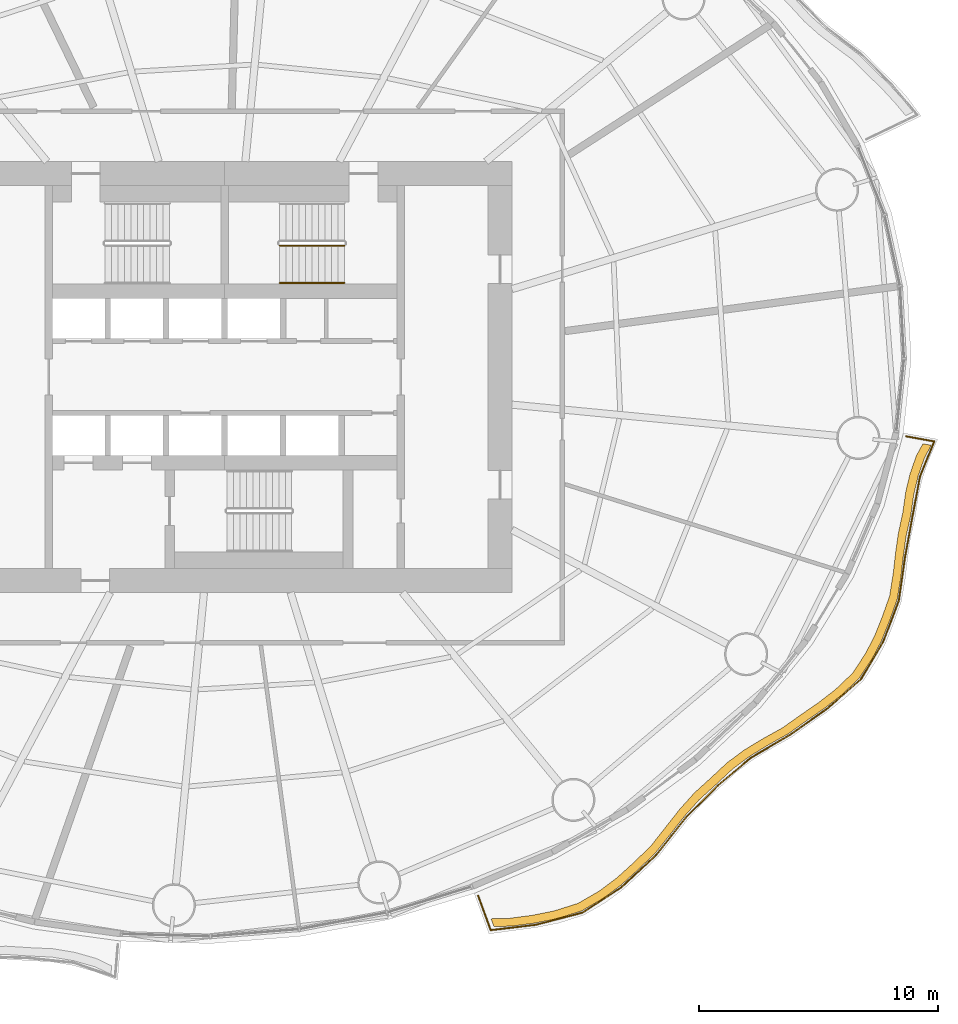
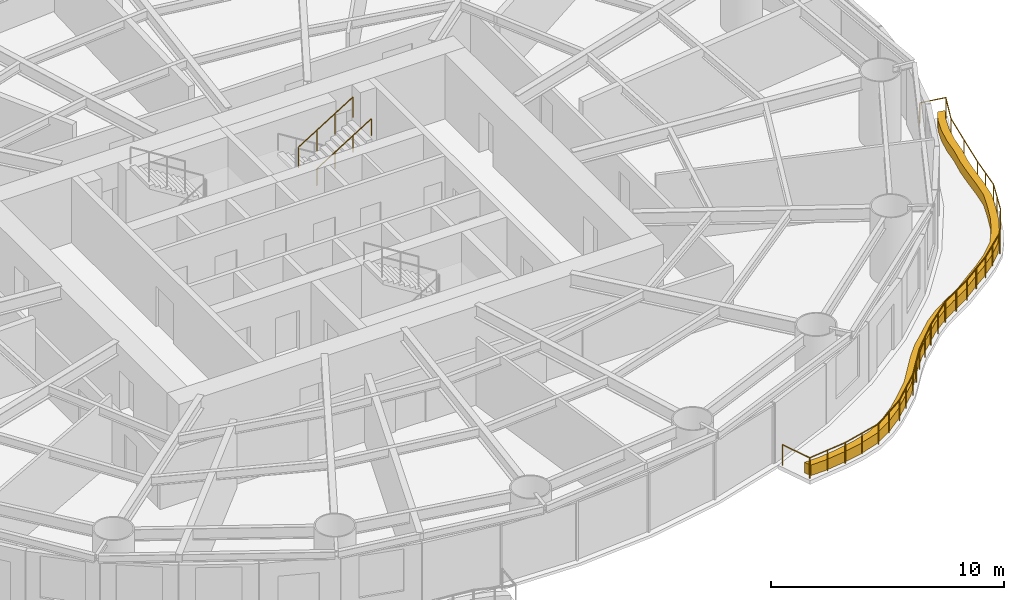
# One storey, part 14 of 16: 3 railings, 1 covering.
"""IFC4 building model written with IfcOpenShell, lengths in metres."""

from ifc_helpers import new_model, si_unit, direction, frame, origin, origin_2d, place, context, subcontext, project, spatial, polyline, circle, outline, extrude, material, type_object, element, save


model = new_model("IFC4")

# Units and contexts
model_context = context("Model", 3, precision=1e-05, world=origin(), true_north=direction((0.0, 1.0)))
body_context = subcontext(model_context, "Body", "Model", "MODEL_VIEW")
ifc_project = project(units=[si_unit("LENGTHUNIT", "METRE"), si_unit("AREAUNIT", "SQUARE_METRE"), si_unit("VOLUMEUNIT", "CUBIC_METRE"), si_unit("PLANEANGLEUNIT", "RADIAN"), si_unit("MASSUNIT", "GRAM", prefix="KILO")], contexts=[model_context])

# Site, building, storey
site_placement = place(None, origin())
site = spatial("IfcSite", under=ifc_project, at=site_placement, CompositionType="ELEMENT")
building_placement = place(site_placement, origin())
building = spatial("IfcBuilding", under=site, at=building_placement, Name="Vermilion Reach Broadcast Tower", CompositionType="ELEMENT")
storey_placement = place(building_placement, frame((0.0, 0.0, 65.60009765625)))
storey = spatial("IfcBuildingStorey", under=building, at=storey_placement, Name="L13", CompositionType="ELEMENT", Elevation=65.60009765625)

# Covering
ifc_material_1 = material(Name="Planting soil and greenery")
covering_type = type_object("IfcCoveringType", Name="Balcony PLANTER", PredefinedType="USERDEFINED", material=ifc_material_1)
covering_placement = place(storey_placement, origin())
element("IfcCovering", 1, at=covering_placement, inside=storey, type_object=covering_type, Name="PLANTER L13 group 4", ObjectType="PLANTER", PredefinedType="USERDEFINED", context=body_context, shape_type="SweptSolid", body=[
    extrude(outline(polyline([(5.24560546875, -22.953125), (6.0107421875, -22.9296875), (6.962646484375, -22.8037109375), (7.89013671875, -22.62060546875), (8.906982421875, -22.296875), (9.813720703125, -21.772216796875), (10.54833984375, -21.223876953125), (11.2392578125, -20.598388671875), (11.996337890625, -19.869384765625), (12.64111328125, -19.057861328125), (13.212890625, -18.33056640625), (13.820556640625, -17.652099609375), (14.533203125, -17.0068359375), (15.216064453125, -16.3671875), (15.919189453125, -15.843505859375), (16.679443359375, -15.3798828125), (17.553466796875, -14.8876953125), (18.354736328125, -14.31396484375), (19.08056640625, -13.81103515625), (19.77001953125, -13.2783203125), (20.506591796875, -12.57275390625), (21.05224609375, -11.745361328125), (21.43603515625, -11.0107421875), (21.749267578125, -10.232666015625), (22.084228515625, -9.296630859375), (22.244384765625, -8.327880859375), (22.340087890625, -7.490478515625), (22.456298828125, -6.661865234375), (22.6533203125, -5.772705078125), (22.7802734375, -4.8984375), (22.96240234375, -4.12939453125), (23.223876953125, -3.38134765625), (23.506103515625, -2.848876953125), (23.161865234375, -2.785888671875), (22.885498046875, -3.291748046875), (22.6240234375, -4.039794921875), (22.44189453125, -4.808837890625), (22.322509765625, -5.658203125), (22.135009765625, -6.52294921875), (22.0185546875, -7.351806640625), (21.9228515625, -8.189208984375), (21.7734375, -9.135498046875), (21.450927734375, -10.0498046875), (21.1376953125, -10.82763671875), (20.75390625, -11.562255859375), (20.22119140625, -12.369873046875), (19.4990234375, -13.056884765625), (18.8095703125, -13.58935546875), (18.083740234375, -14.09228515625), (17.29736328125, -14.649169921875), (16.439208984375, -15.125732421875), (15.678955078125, -15.589111328125), (14.975830078125, -16.11279296875), (14.308837890625, -16.73828125), (13.61279296875, -17.370361328125), (13.005126953125, -18.048828125), (12.43359375, -18.776123046875), (11.8056640625, -19.575927734375), (11.06591796875, -20.294189453125), (10.375244140625, -20.919677734375), (9.640380859375, -21.46826171875), (8.7509765625, -21.9833984375), (7.751953125, -22.298828125), (6.82470703125, -22.482177734375), (5.87255859375, -22.60791015625), (5.12548828125, -22.624267578125), (5.24560546875, -22.953125)])), origin(), (0.0, 0.0, 1.0), 0.5498046875),
])

# Railings
ifc_material_2 = material(Name="Stainless steel 316 balustrade", Category="steel")
railing_type_1 = type_object("IfcRailingType", Name="Balcony guard 1100", PredefinedType="BALUSTRADE", material=ifc_material_2)
railing_1_placement = place(storey_placement, frame((4.58203125, -21.6611328125, 0.0)))
element("IfcRailing", 2, at=railing_1_placement, inside=storey, type_object=railing_type_1, Name="Balcony guard L13 group 4", PredefinedType="BALUSTRADE", context=body_context, shape_type="SweptSolid", body=[
    extrude(circle(Radius=0.02490234375, at=origin_2d()), frame((0.0, 0.0, 1.0751953125), z_axis=(0.343317396351, -0.939219444732, 0.0), x_axis=(0.939219444732, 0.343317396351, 0.0)), (0.0, 0.0, 1.0), 1.531005859375),
    extrude(circle(Radius=0.02490234375, at=origin_2d()), frame((0.525634765625, -1.43798828125, 1.0751953125), z_axis=(0.993151481633, 0.116833790191, 0.0), x_axis=(-0.116833790191, 0.993151481633, 0.0)), (0.0, 0.0, 1.0), 1.8994140625),
    extrude(circle(Radius=0.02490234375, at=origin_2d()), frame((2.412109375, -1.216064453125, 1.0751953125), z_axis=(0.967558024138, 0.252648906441, 0.0), x_axis=(-0.252648906441, 0.967558024138, 0.0)), (0.0, 0.0, 1.0), 2.013916015625),
    extrude(circle(Radius=0.02490234375, at=origin_2d()), frame((4.360595703125, -0.707275390625, 1.0751953125), z_axis=(0.83719274084, 0.546907958148, 0.0), x_axis=(-0.546907958148, 0.83719274084, 0.0)), (0.0, 0.0, 1.0), 1.965576171875),
    extrude(circle(Radius=0.02490234375, at=origin_2d()), frame((6.006103515625, 0.36767578125, 1.0751953125), z_axis=(0.73059754789, 0.682808335492, 0.0), x_axis=(-0.682808335492, 0.73059754789, 0.0)), (0.0, 0.0, 1.0), 1.9873046875),
    extrude(circle(Radius=0.02490234375, at=origin_2d()), frame((7.4580078125, 1.724609375, 1.0751953125), z_axis=(0.620658413017, 0.784081076389, 0.0), x_axis=(-0.784081076389, 0.620658413017, 0.0)), (0.0, 0.0, 1.0), 1.966064453125),
    extrude(circle(Radius=0.02490234375, at=origin_2d()), frame((8.67822265625, 3.26611328125, 1.0751953125), z_axis=(0.706455250429, 0.707757712174, 0.0), x_axis=(-0.707757712174, 0.706455250429, 0.0)), (0.0, 0.0, 1.0), 1.87451171875),
    extrude(circle(Radius=0.02490234375, at=origin_2d()), frame((10.00244140625, 4.5927734375, 1.0751953125), z_axis=(0.765855927894, 0.643012206501, 0.0), x_axis=(-0.643012206501, 0.765855927894, 0.0)), (0.0, 0.0, 1.0), 1.814453125),
    extrude(circle(Radius=0.02490234375, at=origin_2d()), frame((11.39208984375, 5.759521484375, 1.0751953125), z_axis=(0.86285852099, 0.505445519077, 0.0), x_axis=(-0.505445519077, 0.86285852099, 0.0)), (0.0, 0.0, 1.0), 1.898193359375),
    extrude(circle(Radius=0.02490234375, at=origin_2d()), frame((13.030029296875, 6.718994140625, 1.0751953125), z_axis=(0.816917300807, 0.576754821083, 0.0), x_axis=(-0.576754821083, 0.816917300807, 0.0)), (0.0, 0.0, 1.0), 1.87353515625),
    extrude(circle(Radius=0.02490234375, at=origin_2d()), frame((14.560546875, 7.799560546875, 1.0751953125), z_axis=(0.754633273695, 0.656146799301, 0.0), x_axis=(-0.656146799301, 0.754633273695, 0.0)), (0.0, 0.0, 1.0), 1.893798828125),
    extrude(circle(Radius=0.02490234375, at=origin_2d()), frame((15.98974609375, 9.042236328125, 1.0751953125), z_axis=(0.511479150622, 0.859295687455, 0.0), x_axis=(-0.859295687455, 0.511479150622, 0.0)), (0.0, 0.0, 1.0), 1.822998046875),
    extrude(circle(Radius=0.02490234375, at=origin_2d()), frame((16.922119140625, 10.608642578125, 1.0751953125), z_axis=(0.354221783006, 0.935161445123, 0.0), x_axis=(-0.935161445123, 0.354221783006, 0.0)), (0.0, 0.0, 1.0), 1.838134765625),
    extrude(circle(Radius=0.02490234375, at=origin_2d()), frame((17.5732421875, 12.32763671875, 1.0751953125), z_axis=(0.141047709847, 0.990002799767, 0.0), x_axis=(-0.990002799767, 0.141047709847, 0.0)), (0.0, 0.0, 1.0), 1.82958984375),
    extrude(circle(Radius=0.02490234375, at=origin_2d()), frame((17.831298828125, 14.138916015625, 1.0751953125), z_axis=(0.180038004573, 0.983659655018, 0.0), x_axis=(-0.983659655018, 0.180038004573, 0.0)), (0.0, 0.0, 1.0), 1.751953125),
    extrude(circle(Radius=0.02490234375, at=origin_2d()), frame((18.146728515625, 15.8623046875, 1.0751953125), z_axis=(0.185360144347, 0.982670655351, 0.0), x_axis=(-0.982670655351, 0.185360144347, 0.0)), (0.0, 0.0, 1.0), 1.677978515625),
    extrude(circle(Radius=0.02490234375, at=origin_2d()), frame((18.457763671875, 17.51123046875, 1.0751953125), z_axis=(0.375154715954, 0.926962210177, 0.0), x_axis=(-0.926962210177, 0.375154715954, 0.0)), (0.0, 0.0, 1.0), 1.575439453125),
    extrude(circle(Radius=0.02490234375, at=origin_2d()), frame((19.048828125, 18.9716796875, 1.0751953125), z_axis=(-0.983601682386, 0.180354457688, 0.0), x_axis=(-0.180354457688, -0.983601682386, 0.0)), (0.0, 0.0, 1.0), 1.1845703125),
    extrude(circle(Radius=0.02490234375, at=origin_2d()), origin(), (0.0, 0.0, 1.0), 1.050048828125),
    extrude(circle(Radius=0.02490234375, at=origin_2d()), frame((0.525634765625, -1.43798828125, 0.0)), (0.0, 0.0, 1.0), 1.050048828125),
    extrude(circle(Radius=0.02490234375, at=origin_2d()), frame((1.46875, -1.3271484375, 0.0)), (0.0, 0.0, 1.0), 1.050048828125),
    extrude(circle(Radius=0.02490234375, at=origin_2d()), frame((2.412109375, -1.216064453125, 0.0)), (0.0, 0.0, 1.0), 1.050048828125),
    extrude(circle(Radius=0.02490234375, at=origin_2d()), frame((3.38623046875, -0.961669921875, 0.0)), (0.0, 0.0, 1.0), 1.050048828125),
    extrude(circle(Radius=0.02490234375, at=origin_2d()), frame((4.360595703125, -0.707275390625, 0.0)), (0.0, 0.0, 1.0), 1.050048828125),
    extrude(circle(Radius=0.02490234375, at=origin_2d()), frame((5.183349609375, -0.169921875, 0.0)), (0.0, 0.0, 1.0), 1.050048828125),
    extrude(circle(Radius=0.02490234375, at=origin_2d()), frame((6.006103515625, 0.36767578125, 0.0)), (0.0, 0.0, 1.0), 1.050048828125),
    extrude(circle(Radius=0.02490234375, at=origin_2d()), frame((6.73193359375, 1.046142578125, 0.0)), (0.0, 0.0, 1.0), 1.050048828125),
    extrude(circle(Radius=0.02490234375, at=origin_2d()), frame((7.4580078125, 1.724609375, 0.0)), (0.0, 0.0, 1.0), 1.050048828125),
    extrude(circle(Radius=0.02490234375, at=origin_2d()), frame((8.068115234375, 2.495361328125, 0.0)), (0.0, 0.0, 1.0), 1.050048828125),
    extrude(circle(Radius=0.02490234375, at=origin_2d()), frame((8.67822265625, 3.26611328125, 0.0)), (0.0, 0.0, 1.0), 1.050048828125),
    extrude(circle(Radius=0.02490234375, at=origin_2d()), frame((9.34033203125, 3.929443359375, 0.0)), (0.0, 0.0, 1.0), 1.050048828125),
    extrude(circle(Radius=0.02490234375, at=origin_2d()), frame((10.00244140625, 4.5927734375, 0.0)), (0.0, 0.0, 1.0), 1.050048828125),
    extrude(circle(Radius=0.02490234375, at=origin_2d()), frame((10.697265625, 5.17626953125, 0.0)), (0.0, 0.0, 1.0), 1.050048828125),
    extrude(circle(Radius=0.02490234375, at=origin_2d()), frame((11.39208984375, 5.759521484375, 0.0)), (0.0, 0.0, 1.0), 1.050048828125),
    extrude(circle(Radius=0.02490234375, at=origin_2d()), frame((12.2109375, 6.2392578125, 0.0)), (0.0, 0.0, 1.0), 1.050048828125),
    extrude(circle(Radius=0.02490234375, at=origin_2d()), frame((13.030029296875, 6.718994140625, 0.0)), (0.0, 0.0, 1.0), 1.050048828125),
    extrude(circle(Radius=0.02490234375, at=origin_2d()), frame((13.79541015625, 7.25927734375, 0.0)), (0.0, 0.0, 1.0), 1.050048828125),
    extrude(circle(Radius=0.02490234375, at=origin_2d()), frame((14.560546875, 7.799560546875, 0.0)), (0.0, 0.0, 1.0), 1.050048828125),
    extrude(circle(Radius=0.02490234375, at=origin_2d()), frame((15.275146484375, 8.4208984375, 0.0)), (0.0, 0.0, 1.0), 1.050048828125),
    extrude(circle(Radius=0.02490234375, at=origin_2d()), frame((15.98974609375, 9.042236328125, 0.0)), (0.0, 0.0, 1.0), 1.050048828125),
    extrude(circle(Radius=0.02490234375, at=origin_2d()), frame((16.4560546875, 9.825439453125, 0.0)), (0.0, 0.0, 1.0), 1.050048828125),
    extrude(circle(Radius=0.02490234375, at=origin_2d()), frame((16.922119140625, 10.608642578125, 0.0)), (0.0, 0.0, 1.0), 1.050048828125),
    extrude(circle(Radius=0.02490234375, at=origin_2d()), frame((17.24755859375, 11.46826171875, 0.0)), (0.0, 0.0, 1.0), 1.050048828125),
    extrude(circle(Radius=0.02490234375, at=origin_2d()), frame((17.5732421875, 12.32763671875, 0.0)), (0.0, 0.0, 1.0), 1.050048828125),
    extrude(circle(Radius=0.02490234375, at=origin_2d()), frame((17.7021484375, 13.2333984375, 0.0)), (0.0, 0.0, 1.0), 1.050048828125),
    extrude(circle(Radius=0.02490234375, at=origin_2d()), frame((17.831298828125, 14.138916015625, 0.0)), (0.0, 0.0, 1.0), 1.050048828125),
    extrude(circle(Radius=0.02490234375, at=origin_2d()), frame((18.146728515625, 15.8623046875, 0.0)), (0.0, 0.0, 1.0), 1.050048828125),
    extrude(circle(Radius=0.02490234375, at=origin_2d()), frame((18.457763671875, 17.51123046875, 0.0)), (0.0, 0.0, 1.0), 1.050048828125),
    extrude(circle(Radius=0.02490234375, at=origin_2d()), frame((19.048828125, 18.9716796875, 0.0)), (0.0, 0.0, 1.0), 1.050048828125),
    extrude(circle(Radius=0.02490234375, at=origin_2d()), frame((17.8837890625, 19.185302734375, 0.0)), (0.0, 0.0, 1.0), 1.050048828125),
])
ifc_material_3 = material(Name="Stainless steel", Category="steel")
railing_type_2 = type_object("IfcRailingType", Name="Stair guard 1100", PredefinedType="GUARDRAIL", material=ifc_material_3)
railing_2_placement = place(storey_placement, frame((-3.699951171875, 5.489990234375, 2.01806640625)))
element("IfcRailing", 3, at=railing_2_placement, inside=storey, type_object=railing_type_2, Name="L13 ST2 stair guard 3", PredefinedType="GUARDRAIL", context=body_context, shape_type="SweptSolid", body=[
    extrude(circle(Radius=0.02392578125, at=origin_2d()), frame((0.0, 0.0, 1.076171875), z_axis=(0.848786430784, 0.0, 0.528735846068), x_axis=(0.0, 1.0, 0.0)), (0.0, 0.0, 1.0), 3.180908203125),
    extrude(circle(Radius=0.02099609375, at=origin_2d()), origin(), (0.0, 0.0, 1.0), 1.052001953125),
    extrude(circle(Radius=0.02099609375, at=origin_2d()), frame((0.89990234375, 0.0, 0.560546875)), (0.0, 0.0, 1.0), 1.052001953125),
    extrude(circle(Radius=0.02099609375, at=origin_2d()), frame((1.800048828125, 0.0, 1.121337890625)), (0.0, 0.0, 1.0), 1.052001953125),
    extrude(circle(Radius=0.02099609375, at=origin_2d()), frame((2.699951171875, 0.0, 1.681884765625)), (0.0, 0.0, 1.0), 1.052001953125),
])
ifc_material_4 = material(Name="Stainless steel", Category="steel")
railing_type_3 = type_object("IfcRailingType", Name="Stair handrail", PredefinedType="HANDRAIL", material=ifc_material_4)
railing_3_placement = place(storey_placement, frame((-3.699951171875, 3.929931640625, 2.01806640625)))
element("IfcRailing", 4, at=railing_3_placement, inside=storey, type_object=railing_type_3, Name="L13 ST2 stair handrail 2", PredefinedType="HANDRAIL", context=body_context, shape_type="SweptSolid", body=[
    extrude(circle(Radius=0.02392578125, at=origin_2d()), frame((0.0, 0.0, 0.8759765625), z_axis=(0.848786430784, 0.0, 0.528735846068), x_axis=(0.0, 1.0, 0.0)), (0.0, 0.0, 1.0), 3.180908203125),
    extrude(circle(Radius=0.02099609375, at=origin_2d()), origin(), (0.0, 0.0, 1.0), 0.851806640625),
    extrude(circle(Radius=0.02099609375, at=origin_2d()), frame((0.89990234375, 0.0, 0.560546875)), (0.0, 0.0, 1.0), 0.851806640625),
    extrude(circle(Radius=0.02099609375, at=origin_2d()), frame((1.800048828125, 0.0, 1.121337890625)), (0.0, 0.0, 1.0), 0.851806640625),
    extrude(circle(Radius=0.02099609375, at=origin_2d()), frame((2.699951171875, 0.0, 1.681884765625)), (0.0, 0.0, 1.0), 0.851806640625),
])

save(model, "model.ifc")
